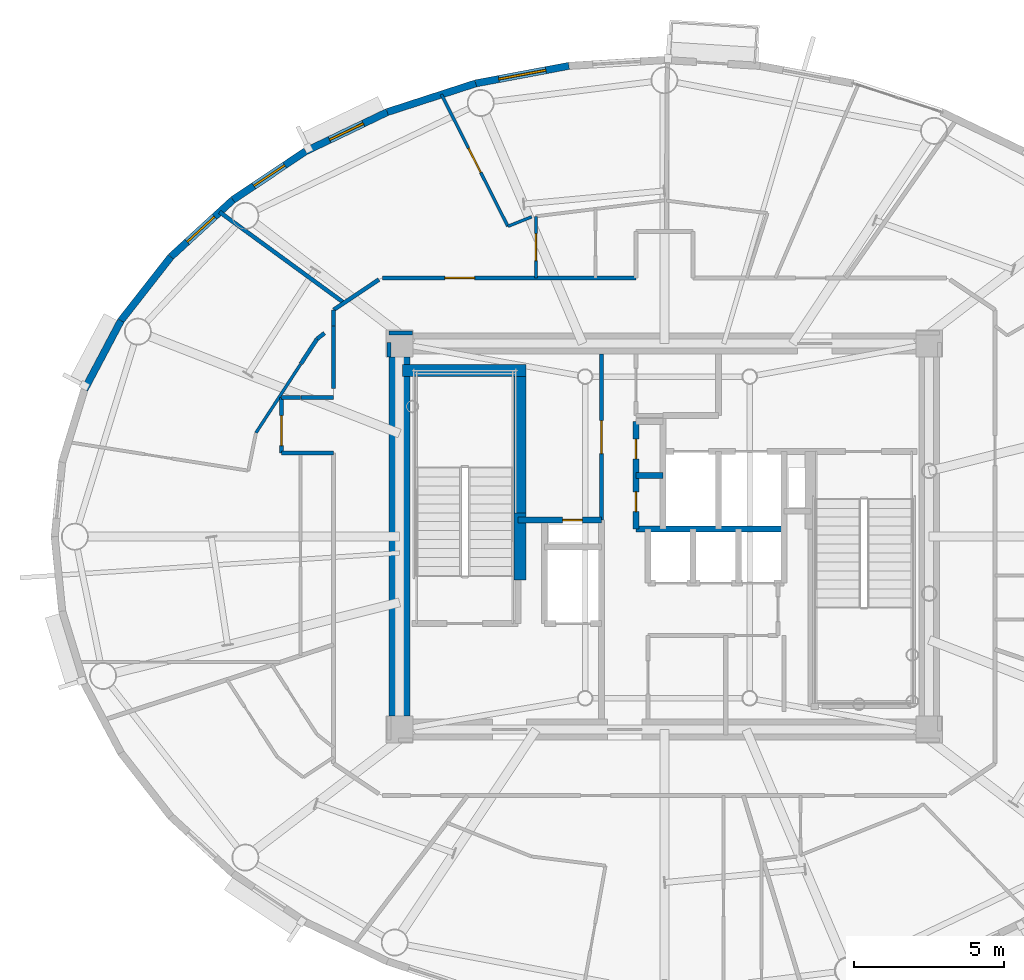
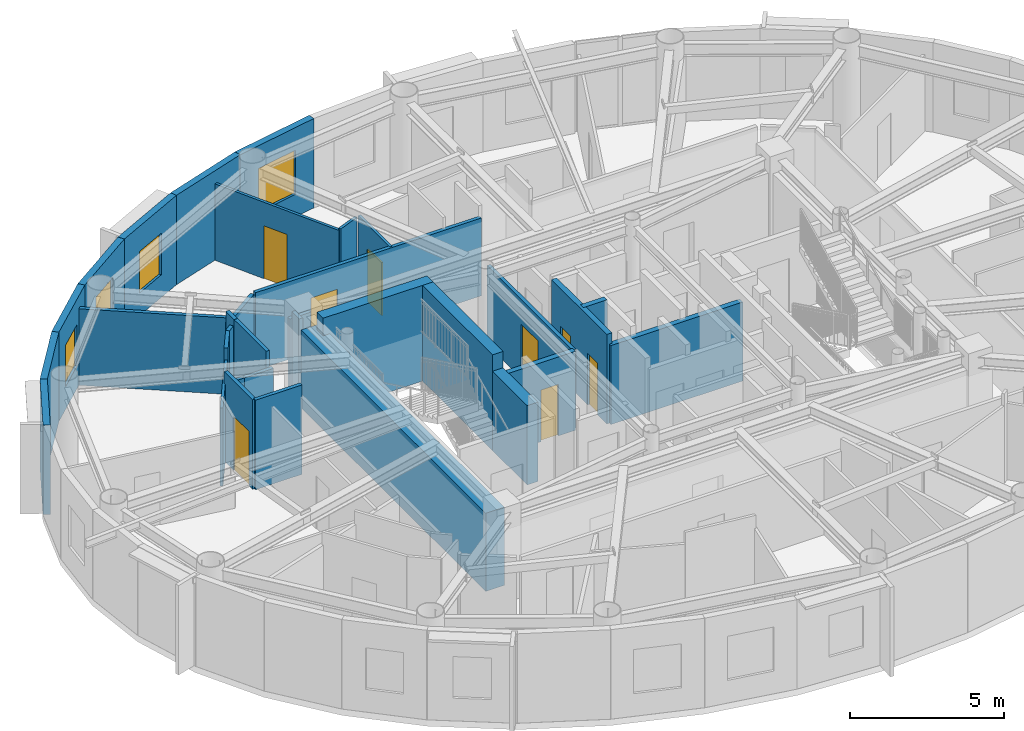
# One storey, part 8 of 17: 33 walls, 8 doors, 4 windows, 12 openings.
"""IFC4 building model written with IfcOpenShell, lengths in metres."""

from ifc_helpers import new_model, si_unit, direction, frame, frame_2d, origin, origin_2d, place, context, subcontext, project, spatial, rectangle, extrude, source, transform, mapped, material, layer, layer_set, type_object, element, fill, save


model = new_model("IFC4")

# Units and contexts
model_context = context("Model", 3, precision=1e-05, world=origin(), true_north=direction((0.0, 1.0)))
body_context = subcontext(model_context, "Body", "Model", "MODEL_VIEW")
ifc_project = project(units=[si_unit("LENGTHUNIT", "METRE"), si_unit("AREAUNIT", "SQUARE_METRE"), si_unit("VOLUMEUNIT", "CUBIC_METRE"), si_unit("PLANEANGLEUNIT", "RADIAN"), si_unit("MASSUNIT", "GRAM", prefix="KILO")], contexts=[model_context])

# Site, building, storey
site_placement = place(None, origin())
site = spatial("IfcSite", under=ifc_project, at=site_placement, CompositionType="ELEMENT")
building_placement = place(site_placement, origin())
building = spatial("IfcBuilding", under=site, at=building_placement, Name="Linh Dai School and Residence Tower", CompositionType="ELEMENT")
storey_placement = place(building_placement, frame((0.0, 0.0, 331.60009765625)))
storey = spatial("IfcBuildingStorey", under=building, at=storey_placement, Name="L82", CompositionType="ELEMENT", Elevation=331.60009765625)

# Wall, opening, window
ifc_material_1 = material(Name="Precast Concrete B45 (C35/45)", Category="concrete")
ifc_layer_1 = layer(ifc_material_1, 0.239990234375)
ifc_layer_set_1 = layer_set([ifc_layer_1], Name="Precast Concrete B45 (C35/45)")
wall_type_1 = type_object("IfcWallType", Name="EW-TC-240", PredefinedType="SOLIDWALL", material=ifc_layer_set_1)
wall_1_placement = place(storey_placement, frame((29.696044921875, 42.14794921875, 0.0), z_axis=(0.0, 0.0, 1.0), x_axis=(0.98276643264, 0.184851667226, 0.0)))
wall_1 = element("IfcWall", 1, at=wall_1_placement, inside=storey, type_object=wall_type_1, Name="L82 Terracotta Exterior Wall 12", PredefinedType="SOLIDWALL", context=body_context, shape_type="SweptSolid", body=[
    extrude(rectangle(XDim=3.167236328125, YDim=0.239990234375, at=frame_2d((1.58349609375, 0.0))), origin(), (0.0, 0.0, 1.0), 3.5498046875),
])
opening_1_placement = place(wall_1_placement, frame((0.78369140625, 0.0, 0.89990234375)))
opening_1 = element("IfcOpeningElement", 2, at=opening_1_placement, cuts=wall_1, Name="Opening W2", PredefinedType="OPENING", context=body_context, shape_type="SweptSolid", body=[
    extrude(rectangle(XDim=1.60009765625, YDim=1.75, at=origin_2d()), frame((0.800048828125, 0.1298828125, 0.875), z_axis=(0.0, -1.0, 0.0), x_axis=(1.0, 0.0, 0.0)), (0.0, 0.0, 1.0), 0.260009765625),
])
ifc_material_2 = material(Name="Double Low-E Insulated Glazing", Category="glass")
window_type_1 = type_object("IfcWindowType", Name="WN-RES-1600x1750", PartitioningType="DOUBLE_PANEL_VERTICAL", PredefinedType="WINDOW", material=ifc_material_2)
shared_shape_1 = source(origin(), body_context, "Body", "SweptSolid", [
    extrude(rectangle(XDim=1.60009765625, YDim=1.75, at=origin_2d()), frame((0.800048828125, 0.030029296875, 0.875), z_axis=(0.0, -1.0, 0.0), x_axis=(1.0, 0.0, 0.0)), (0.0, 0.0, 1.0), 0.06005859375),
])
window_1_placement = place(opening_1_placement, origin())
window_1 = element("IfcWindow", 3, at=window_1_placement, inside=storey, type_object=window_type_1, Name="L82 Exterior Window 12.1", OverallHeight=1.75, OverallWidth=1.60009765625, PartitioningType="DOUBLE_PANEL_VERTICAL", PredefinedType="WINDOW", context=body_context, shape_type="MappedRepresentation", body=[
    mapped(shared_shape_1, transform((0.0, 0.0, 0.0), x_axis=(1.0, 0.0, 0.0), y_axis=(0.0, 1.0, 0.0), z_axis=(0.0, 0.0, 1.0), scale=1.0)),
])
fill(opening_1, window_1)

# Wall
wall_2_placement = place(storey_placement, frame((26.739501953125, 41.18896484375, 0.0), z_axis=(0.0, 0.0, 1.0), x_axis=(0.951212850731, 0.308535431682, 0.0)))
element("IfcWall", 4, at=wall_2_placement, inside=storey, type_object=wall_type_1, Name="L82 Terracotta Exterior Wall 13", PredefinedType="SOLIDWALL", context=body_context, shape_type="SweptSolid", body=[
    extrude(rectangle(XDim=3.108154296875, YDim=0.239990234375, at=frame_2d((1.55419921875, 0.0))), origin(), (0.0, 0.0, 1.0), 3.5498046875),
])

# Wall, opening, window
wall_3_placement = place(storey_placement, frame((24.01220703125, 39.880126953125, 0.0), z_axis=(0.0, 0.0, 1.0), x_axis=(0.901557057889, 0.432660226241, 0.0)))
wall_3 = element("IfcWall", 5, at=wall_3_placement, inside=storey, type_object=wall_type_1, Name="L82 Terracotta Exterior Wall 14", PredefinedType="SOLIDWALL", context=body_context, shape_type="SweptSolid", body=[
    extrude(rectangle(XDim=3.025146484375, YDim=0.239990234375, at=frame_2d((1.5126953125, 0.0))), origin(), (0.0, 0.0, 1.0), 3.5498046875),
])
opening_2_placement = place(wall_3_placement, frame((0.8876953125, 0.0, 0.89990234375)))
opening_2 = element("IfcOpeningElement", 6, at=opening_2_placement, cuts=wall_3, Name="Opening W3", PredefinedType="OPENING", context=body_context, shape_type="SweptSolid", body=[
    extrude(rectangle(XDim=1.25, YDim=1.64990234375, at=origin_2d()), frame((0.625, 0.1298828125, 0.824951171875), z_axis=(0.0, -1.0, 0.0), x_axis=(1.0, 0.0, 0.0)), (0.0, 0.0, 1.0), 0.260009765625),
])
window_type_2 = type_object("IfcWindowType", Name="WN-RES-1250x1650", PartitioningType="SINGLE_PANEL", PredefinedType="WINDOW", material=ifc_material_2)
shared_shape_2 = source(origin(), body_context, "Body", "SweptSolid", [
    extrude(rectangle(XDim=1.25, YDim=1.64990234375, at=origin_2d()), frame((0.625, 0.030029296875, 0.824951171875), z_axis=(0.0, -1.0, 0.0), x_axis=(1.0, 0.0, 0.0)), (0.0, 0.0, 1.0), 0.06005859375),
])
window_2_placement = place(opening_2_placement, origin())
window_2 = element("IfcWindow", 7, at=window_2_placement, inside=storey, type_object=window_type_2, Name="L82 Exterior Window 14.1", OverallHeight=1.64990234375, OverallWidth=1.25, PartitioningType="SINGLE_PANEL", PredefinedType="WINDOW", context=body_context, shape_type="MappedRepresentation", body=[
    mapped(shared_shape_2, transform((0.0, 0.0, 0.0), x_axis=(1.0, 0.0, 0.0), y_axis=(0.0, 1.0, 0.0), z_axis=(0.0, 0.0, 1.0), scale=1.0)),
])
fill(opening_2, window_2)

wall_4_placement = place(storey_placement, frame((21.581298828125, 38.254150390625, 0.0), z_axis=(0.0, 0.0, 1.0), x_axis=(0.831201688654, 0.555970999944, 0.0)))
wall_4 = element("IfcWall", 8, at=wall_4_placement, inside=storey, type_object=wall_type_1, Name="L82 Terracotta Exterior Wall 15", PredefinedType="SOLIDWALL", context=body_context, shape_type="SweptSolid", body=[
    extrude(rectangle(XDim=2.924560546875, YDim=0.239990234375, at=frame_2d((1.46240234375, 0.0))), origin(), (0.0, 0.0, 1.0), 3.5498046875),
])
opening_3_placement = place(wall_4_placement, frame((0.83740234375, 0.0, 0.89990234375)))
opening_3 = element("IfcOpeningElement", 9, at=opening_3_placement, cuts=wall_4, Name="Opening W3", PredefinedType="OPENING", context=body_context, shape_type="SweptSolid", body=[
    extrude(rectangle(XDim=1.25, YDim=1.64990234375, at=origin_2d()), frame((0.625, 0.1298828125, 0.824951171875), z_axis=(0.0, -1.0, 0.0), x_axis=(1.0, 0.0, 0.0)), (0.0, 0.0, 1.0), 0.260009765625),
])
window_3_placement = place(opening_3_placement, origin())
window_3 = element("IfcWindow", 10, at=window_3_placement, inside=storey, type_object=window_type_2, Name="L82 Exterior Window 15.1", OverallHeight=1.64990234375, OverallWidth=1.25, PartitioningType="SINGLE_PANEL", PredefinedType="WINDOW", context=body_context, shape_type="MappedRepresentation", body=[
    mapped(shared_shape_2, transform((0.0, 0.0, 0.0), x_axis=(1.0, 0.0, 0.0), y_axis=(0.0, 1.0, 0.0), z_axis=(0.0, 0.0, 1.0), scale=1.0)),
])
fill(opening_3, window_3)

wall_5_placement = place(storey_placement, frame((19.5068359375, 36.351806640625, 0.0), z_axis=(0.0, 0.0, 1.0), x_axis=(0.737020907932, 0.675869944051, 0.0)))
wall_5 = element("IfcWall", 11, at=wall_5_placement, inside=storey, type_object=wall_type_1, Name="L82 Terracotta Exterior Wall 16", PredefinedType="SOLIDWALL", context=body_context, shape_type="SweptSolid", body=[
    extrude(rectangle(XDim=2.814697265625, YDim=0.239990234375, at=frame_2d((1.4072265625, 0.0))), origin(), (0.0, 0.0, 1.0), 3.5498046875),
])
opening_4_placement = place(wall_5_placement, frame((0.736572265625, 0.0, 0.89990234375)))
opening_4 = element("IfcOpeningElement", 12, at=opening_4_placement, cuts=wall_5, Name="Opening W3", PredefinedType="OPENING", context=body_context, shape_type="SweptSolid", body=[
    extrude(rectangle(XDim=1.25, YDim=1.64990234375, at=origin_2d()), frame((0.625, 0.1298828125, 0.824951171875), z_axis=(0.0, -1.0, 0.0), x_axis=(1.0, 0.0, 0.0)), (0.0, 0.0, 1.0), 0.260009765625),
])
window_4_placement = place(opening_4_placement, origin())
window_4 = element("IfcWindow", 13, at=window_4_placement, inside=storey, type_object=window_type_2, Name="L82 Dwelling Window U8203-BD1", OverallHeight=1.64990234375, OverallWidth=1.25, PartitioningType="SINGLE_PANEL", PredefinedType="WINDOW", context=body_context, shape_type="MappedRepresentation", body=[
    mapped(shared_shape_2, transform((0.0, 0.0, 0.0), x_axis=(1.0, 0.0, 0.0), y_axis=(0.0, 1.0, 0.0), z_axis=(0.0, 0.0, 1.0), scale=1.0)),
])
fill(opening_4, window_4)

# Walls
wall_6_placement = place(storey_placement, frame((17.839111328125, 34.220703125, 0.0), z_axis=(0.0, 0.0, 1.0), x_axis=(0.616286367698, 0.78752213492, 0.0)))
element("IfcWall", 14, at=wall_6_placement, inside=storey, type_object=wall_type_1, Name="L82 Terracotta Exterior Wall 17", PredefinedType="SOLIDWALL", context=body_context, shape_type="SweptSolid", body=[
    extrude(rectangle(XDim=2.7060546875, YDim=0.239990234375, at=frame_2d((1.35302734375, 0.0))), origin(), (0.0, 0.0, 1.0), 3.5498046875),
])
wall_7_placement = place(storey_placement, frame((16.618896484375, 31.913330078125, 0.0), z_axis=(0.0, 0.0, 1.0), x_axis=(0.467487999989, 0.883999417345, 0.0)))
element("IfcWall", 15, at=wall_7_placement, inside=storey, type_object=wall_type_1, Name="L82 Terracotta Exterior Wall 18", PredefinedType="SOLIDWALL", context=body_context, shape_type="SweptSolid", body=[
    extrude(rectangle(XDim=2.610107421875, YDim=0.239990234375, at=frame_2d((1.30517578125, 0.0))), origin(), (0.0, 0.0, 1.0), 3.5498046875),
])
ifc_material_3 = material(Name="Autoclaved Aerated Concrete Blockwork", Category="masonry")
ifc_layer_2 = layer(ifc_material_3, 0.135009765625)
ifc_layer_set_2 = layer_set([ifc_layer_2], Name="Autoclaved Aerated Concrete Blockwork")
wall_type_2 = type_object("IfcWallType", Name="IW-CORR-135-EI90", PredefinedType="PARTITIONING", material=ifc_layer_set_2)
wall_8_placement = place(storey_placement, frame((21.135009765625, 37.8515625, 0.0), z_axis=(0.0, 0.0, 1.0), x_axis=(0.807673223958, -0.589630361584, 0.0)))
element("IfcWall", 16, at=wall_8_placement, inside=storey, type_object=wall_type_2, Name="L82 Interior Partition Wall 004", PredefinedType="PARTITIONING", context=body_context, shape_type="SweptSolid", body=[
    extrude(rectangle(XDim=5.151611328125, YDim=0.135009765625, at=frame_2d((2.57568359375, 0.0))), origin(), (0.0, 0.0, 1.0), 3.034912109375),
])

# Wall, opening, door
wall_9_placement = place(storey_placement, frame((23.199951171875, 29.800048828125, 0.0), z_axis=(0.0, 0.0, 1.0), x_axis=(0.0, 1.0, 0.0)))
wall_9 = element("IfcWall", 17, at=wall_9_placement, inside=storey, type_object=wall_type_2, Name="L82 Interior Partition Wall 010", PredefinedType="PARTITIONING", context=body_context, shape_type="SweptSolid", body=[
    extrude(rectangle(XDim=1.849853515625, YDim=0.135009765625, at=frame_2d((0.9248046875, 0.0))), origin(), (0.0, 0.0, 1.0), 3.5498046875),
])
opening_5_placement = place(wall_9_placement, frame((0.241943359375, 0.0, 0.0)))
opening_5 = element("IfcOpeningElement", 18, at=opening_5_placement, cuts=wall_9, Name="Opening D03", PredefinedType="OPENING", context=body_context, shape_type="SweptSolid", body=[
    extrude(rectangle(XDim=1.0, YDim=2.14990234375, at=origin_2d()), frame((0.5, 0.07763671875, 1.074951171875), z_axis=(0.0, -1.0, 0.0), x_axis=(1.0, 0.0, 0.0)), (0.0, 0.0, 1.0), 0.155029296875),
])
ifc_material_4 = material(Name="Fire-Rated Solid Timber Entrance Door", Category="wood")
door_type_1 = type_object("IfcDoorType", Name="DR-FLAT-1000x2150-FD60S", OperationType="NOTDEFINED", PredefinedType="DOOR", material=ifc_material_4)
shared_shape_3 = source(origin(), body_context, "Body", "SweptSolid", [
    extrude(rectangle(XDim=1.0, YDim=2.14990234375, at=origin_2d()), frame((0.5, 0.02490234375, 1.074951171875), z_axis=(0.0, -1.0, 0.0), x_axis=(1.0, 0.0, 0.0)), (0.0, 0.0, 1.0), 0.050048828125),
])
door_1_placement = place(opening_5_placement, origin())
door_1 = element("IfcDoor", 19, at=door_1_placement, inside=storey, type_object=door_type_1, Name="L82 U8203 Apartment Entrance Door", OperationType="SINGLE_SWING_LEFT", OverallHeight=2.14990234375, OverallWidth=1.0, PredefinedType="DOOR", context=body_context, shape_type="MappedRepresentation", body=[
    mapped(shared_shape_3, transform((0.0, 0.0, 0.0), x_axis=(1.0, 0.0, 0.0), y_axis=(0.0, 1.0, 0.0), z_axis=(0.0, 0.0, 1.0), scale=1.0)),
])
fill(opening_5, door_1)

# Walls
wall_10_placement = place(storey_placement, frame((23.199951171875, 29.800048828125, 0.0), z_axis=(0.0, 0.0, 1.0), x_axis=(1.0, 0.0, 0.0)))
element("IfcWall", 20, at=wall_10_placement, inside=storey, type_object=wall_type_2, Name="L82 Interior Partition Wall 011", PredefinedType="PARTITIONING", context=body_context, shape_type="SweptSolid", body=[
    extrude(rectangle(XDim=1.75, YDim=0.135009765625, at=frame_2d((0.875, 0.0))), origin(), (0.0, 0.0, 1.0), 3.5498046875),
])
wall_11_placement = place(storey_placement, frame((23.199951171875, 31.64990234375, 0.0), z_axis=(0.0, 0.0, 1.0), x_axis=(1.0, 0.0, 0.0)))
element("IfcWall", 21, at=wall_11_placement, inside=storey, type_object=wall_type_2, Name="L82 Interior Partition Wall 012", PredefinedType="PARTITIONING", context=body_context, shape_type="SweptSolid", body=[
    extrude(rectangle(XDim=0.64599609375, YDim=0.135009765625, at=frame_2d((0.322998046875, 0.0))), origin(), (0.0, 0.0, 1.0), 3.0849609375),
])
wall_12_placement = place(storey_placement, frame((24.949951171875, 34.0439453125, 0.0), z_axis=(0.0, 0.0, 1.0), x_axis=(0.0, 1.0, 0.0)))
element("IfcWall", 22, at=wall_12_placement, inside=storey, type_object=wall_type_2, Name="L82 Interior Partition Wall 018", PredefinedType="PARTITIONING", context=body_context, shape_type="SweptSolid", body=[
    extrude(rectangle(XDim=0.53857421875, YDim=0.135009765625, at=frame_2d((0.269287109375, 0.0))), origin(), (0.0, 0.0, 1.0), 3.5498046875),
])
wall_13_placement = place(storey_placement, frame((24.949951171875, 34.58251953125, 0.0), z_axis=(0.0, 0.0, 1.0), x_axis=(0.831138642659, 0.556065244984, 0.0)))
element("IfcWall", 23, at=wall_13_placement, inside=storey, type_object=wall_type_2, Name="L82 Interior Partition Wall 019", PredefinedType="PARTITIONING", context=body_context, shape_type="SweptSolid", body=[
    extrude(rectangle(XDim=1.81494140625, YDim=0.135009765625, at=frame_2d((0.907470703125, 0.0))), origin(), (0.0, 0.0, 1.0), 3.0849609375),
])

# Wall, opening, door
wall_14_placement = place(storey_placement, frame((26.580078125, 35.64990234375, 0.0), z_axis=(0.0, 0.0, 1.0), x_axis=(1.0, 0.0, 0.0)))
wall_14 = element("IfcWall", 24, at=wall_14_placement, inside=storey, type_object=wall_type_2, Name="L82 Interior Partition Wall 022", PredefinedType="PARTITIONING", context=body_context, shape_type="SweptSolid", body=[
    extrude(rectangle(XDim=8.469970703125, YDim=0.135009765625, at=frame_2d((4.23486328125, 0.0))), origin(), (0.0, 0.0, 1.0), 3.0849609375),
])
opening_6_placement = place(wall_14_placement, frame((2.082275390625, 0.0, 0.0)))
opening_6 = element("IfcOpeningElement", 25, at=opening_6_placement, cuts=wall_14, Name="Opening D03", PredefinedType="OPENING", context=body_context, shape_type="SweptSolid", body=[
    extrude(rectangle(XDim=1.0, YDim=2.14990234375, at=origin_2d()), frame((0.5, 0.07763671875, 1.074951171875), z_axis=(0.0, -1.0, 0.0), x_axis=(1.0, 0.0, 0.0)), (0.0, 0.0, 1.0), 0.155029296875),
])
door_2_placement = place(opening_6_placement, origin())
door_2 = element("IfcDoor", 26, at=door_2_placement, inside=storey, type_object=door_type_1, Name="L82 U8202 Apartment Entrance Door", OperationType="SINGLE_SWING_LEFT", OverallHeight=2.14990234375, OverallWidth=1.0, PredefinedType="DOOR", context=body_context, shape_type="MappedRepresentation", body=[
    mapped(shared_shape_3, transform((0.0, 0.0, 0.0), x_axis=(1.0, 0.0, 0.0), y_axis=(0.0, 1.0, 0.0), z_axis=(0.0, 0.0, 1.0), scale=1.0)),
])
fill(opening_6, door_2)

wall_15_placement = place(storey_placement, frame((33.89990234375, 27.56005859375, 0.0), z_axis=(0.0, 0.0, 1.0), x_axis=(0.0, 1.0, 0.0)))
wall_15 = element("IfcWall", 27, at=wall_15_placement, inside=storey, type_object=wall_type_2, Name="L82 Interior Partition Wall 038", PredefinedType="PARTITIONING", context=body_context, shape_type="SweptSolid", body=[
    extrude(rectangle(XDim=5.5400390625, YDim=0.135009765625, at=frame_2d((2.77001953125, 0.0))), origin(), (0.0, 0.0, 1.0), 3.135009765625),
])
opening_7_placement = place(wall_15_placement, frame((2.219970703125, 0.0, 0.0)))
opening_7 = element("IfcOpeningElement", 28, at=opening_7_placement, cuts=wall_15, Name="Opening D07", PredefinedType="OPENING", context=body_context, shape_type="SweptSolid", body=[
    extrude(rectangle(XDim=1.10009765625, YDim=2.14990234375, at=origin_2d()), frame((0.550048828125, 0.07763671875, 1.074951171875), z_axis=(0.0, -1.0, 0.0), x_axis=(1.0, 0.0, 0.0)), (0.0, 0.0, 1.0), 0.155029296875),
])
ifc_material_5 = material(Name="Fire-Rated Louvred Steel Plant Door", Category="steel")
door_type_2 = type_object("IfcDoorType", Name="DR-PLT-1100x2150-FD60S", OperationType="NOTDEFINED", PredefinedType="DOOR", material=ifc_material_5)
shared_shape_4 = source(origin(), body_context, "Body", "SweptSolid", [
    extrude(rectangle(XDim=1.10009765625, YDim=2.14990234375, at=origin_2d()), frame((0.550048828125, 0.02490234375, 1.074951171875), z_axis=(0.0, -1.0, 0.0), x_axis=(1.0, 0.0, 0.0)), (0.0, 0.0, 1.0), 0.050048828125),
])
door_3_placement = place(opening_7_placement, origin())
door_3 = element("IfcDoor", 29, at=door_3_placement, inside=storey, type_object=door_type_2, Name="L82 High-Zone Housekeeping Suite Door", OperationType="SINGLE_SWING_LEFT", OverallHeight=2.14990234375, OverallWidth=1.10009765625, PredefinedType="DOOR", context=body_context, shape_type="MappedRepresentation", body=[
    mapped(shared_shape_4, transform((0.0, 0.0, 0.0), x_axis=(1.0, 0.0, 0.0), y_axis=(0.0, 1.0, 0.0), z_axis=(0.0, 0.0, 1.0), scale=1.0)),
])
fill(opening_7, door_3)

# Walls
wall_16_placement = place(storey_placement, frame((23.85595703125, 31.64990234375, 0.0), z_axis=(0.0, 0.0, 1.0), x_axis=(1.0, 0.0, 0.0)))
element("IfcWall", 30, at=wall_16_placement, inside=storey, type_object=wall_type_2, Name="L82 Interior Partition Wall 095", PredefinedType="PARTITIONING", context=body_context, shape_type="SweptSolid", body=[
    extrude(rectangle(XDim=1.093994140625, YDim=0.135009765625, at=frame_2d((0.546875, 0.0))), origin(), (0.0, 0.0, 1.0), 3.0849609375),
])
wall_17_placement = place(storey_placement, frame((24.949951171875, 31.95751953125, 0.0), z_axis=(0.0, 0.0, 1.0), x_axis=(0.0, 1.0, 0.0)))
element("IfcWall", 31, at=wall_17_placement, inside=storey, type_object=wall_type_2, Name="L82 Interior Partition Wall 096", PredefinedType="PARTITIONING", context=body_context, shape_type="SweptSolid", body=[
    extrude(rectangle(XDim=2.076416015625, YDim=0.135009765625, at=frame_2d((1.0380859375, 0.0))), origin(), (0.0, 0.0, 1.0), 3.5498046875),
])
wall_18_placement = place(storey_placement, frame((27.590087890625, 33.800048828125, 0.0), z_axis=(0.0, 0.0, 1.0), x_axis=(-1.0, 0.0, 0.0)))
element("IfcWall", 32, at=wall_18_placement, inside=storey, type_object=wall_type_2, Name="L82 Interior Partition Wall 098", PredefinedType="PARTITIONING", context=body_context, shape_type="SweptSolid", body=[
    extrude(rectangle(XDim=0.7900390625, YDim=0.135009765625, at=frame_2d((0.39501953125, 0.0))), origin(), (0.0, 0.0, 1.0), 3.0849609375),
])
wall_19_placement = place(storey_placement, frame((26.800048828125, 33.492431640625, 0.0), z_axis=(0.0, 0.0, 1.0), x_axis=(0.0, -1.0, 0.0)))
element("IfcWall", 33, at=wall_19_placement, inside=storey, type_object=wall_type_2, Name="L82 Interior Partition Wall 099", PredefinedType="PARTITIONING", context=body_context, shape_type="SweptSolid", body=[
    extrude(rectangle(XDim=0.482421875, YDim=0.135009765625, at=frame_2d((0.2412109375, 0.0))), origin(), (0.0, 0.0, 1.0), 3.5498046875),
])
wall_20_placement = place(storey_placement, frame((24.642578125, 33.802978515625, 0.0), z_axis=(0.0, 0.0, 1.0), x_axis=(-0.787376183758, -0.616472826043, 0.0)))
element("IfcWall", 34, at=wall_20_placement, inside=storey, type_object=wall_type_2, Name="L82 Interior Partition Wall 105", PredefinedType="PARTITIONING", context=body_context, shape_type="SweptSolid", body=[
    extrude(rectangle(XDim=0.320068359375, YDim=0.135009765625, at=frame_2d((0.16015625, 0.0))), origin(), (0.0, 0.0, 1.0), 3.5498046875),
])
wall_21_placement = place(storey_placement, frame((24.390625, 33.605712890625, 0.0), z_axis=(0.0, 0.0, 1.0), x_axis=(-0.545318185568, -0.838229131258, 0.0)))
element("IfcWall", 35, at=wall_21_placement, inside=storey, type_object=wall_type_2, Name="L82 Interior Partition Wall 106", PredefinedType="PARTITIONING", context=body_context, shape_type="SweptSolid", body=[
    extrude(rectangle(XDim=0.988525390625, YDim=0.135009765625, at=frame_2d((0.494140625, 0.0))), origin(), (0.0, 0.0, 1.0), 3.5498046875),
])

# Wall, opening, door
ifc_material_6 = material(Name="Concrete B45 (C35/45)", Category="concrete")
ifc_layer_3 = layer(ifc_material_6, 0.199951171875)
ifc_layer_set_3 = layer_set([ifc_layer_3], Name="Concrete B45 (C35/45)")
wall_type_3 = type_object("IfcWallType", Name="IW-SHAFT-200-EI120", PredefinedType="PARTITIONING", material=ifc_layer_set_3)
wall_22_placement = place(storey_placement, frame((31.10009765625, 27.550048828125, 0.0), z_axis=(0.0, 0.0, 1.0), x_axis=(1.0, 0.0, 0.0)))
wall_22 = element("IfcWall", 36, at=wall_22_placement, inside=storey, type_object=wall_type_3, Name="L82 Interior Partition Wall 028", PredefinedType="PARTITIONING", context=body_context, shape_type="SweptSolid", body=[
    extrude(rectangle(XDim=2.7998046875, YDim=0.199951171875, at=frame_2d((1.39990234375, 0.0))), origin(), (0.0, 0.0, 1.0), 3.135009765625),
])
opening_8_placement = place(wall_22_placement, frame((1.5, 0.0, 0.0)))
opening_8 = element("IfcOpeningElement", 37, at=opening_8_placement, cuts=wall_22, Name="Opening AD1", PredefinedType="OPENING", context=body_context, shape_type="SweptSolid", body=[
    extrude(rectangle(XDim=0.659912109375, YDim=2.050048828125, at=origin_2d()), frame((0.330078125, 0.10986328125, 1.02490234375), z_axis=(0.0, -1.0, 0.0), x_axis=(1.0, 0.0, 0.0)), (0.0, 0.0, 1.0), 0.219970703125),
])
ifc_material_7 = material(Name="Fire-Rated Steel Riser Access Door", Category="steel")
door_type_3 = type_object("IfcDoorType", Name="DR-ACC-660x2050-FD90S", OperationType="NOTDEFINED", PredefinedType="USERDEFINED", material=ifc_material_7)
shared_shape_5 = source(origin(), body_context, "Body", "SweptSolid", [
    extrude(rectangle(XDim=0.659912109375, YDim=2.050048828125, at=origin_2d()), frame((0.330078125, 0.02490234375, 1.02490234375), z_axis=(0.0, -1.0, 0.0), x_axis=(1.0, 0.0, 0.0)), (0.0, 0.0, 1.0), 0.050048828125),
])
door_4_placement = place(opening_8_placement, origin())
door_4 = element("IfcDoor", 38, at=door_4_placement, inside=storey, type_object=door_type_3, Name="L82 Main Electrical Riser Access Door", ObjectType="ACCESS DOOR", OperationType="SINGLE_SWING_RIGHT", OverallHeight=2.050048828125, OverallWidth=0.659912109375, PredefinedType="USERDEFINED", context=body_context, shape_type="MappedRepresentation", body=[
    mapped(shared_shape_5, transform((0.0, 0.0, 0.0), x_axis=(1.0, 0.0, 0.0), y_axis=(0.0, 1.0, 0.0), z_axis=(0.0, 0.0, 1.0), scale=1.0)),
])
fill(opening_8, door_4)

# Wall, openings, doors
wall_23_placement = place(storey_placement, frame((35.050048828125, 27.25, 0.0), z_axis=(0.0, 0.0, 1.0), x_axis=(0.0, 1.0, 0.0)))
wall_23 = element("IfcWall", 39, at=wall_23_placement, inside=storey, type_object=wall_type_3, Name="L82 Interior Partition Wall 039", PredefinedType="PARTITIONING", context=body_context, shape_type="SweptSolid", body=[
    extrude(rectangle(XDim=3.60009765625, YDim=0.199951171875, at=frame_2d((1.800048828125, 0.0))), origin(), (0.0, 0.0, 1.0), 3.5498046875),
])
opening_9_placement = place(wall_23_placement, frame((0.590087890625, 0.0, 0.0)))
opening_9 = element("IfcOpeningElement", 40, at=opening_9_placement, cuts=wall_23, Name="Opening AD1", PredefinedType="OPENING", context=body_context, shape_type="SweptSolid", body=[
    extrude(rectangle(XDim=0.659912109375, YDim=2.050048828125, at=origin_2d()), frame((0.330078125, 0.10986328125, 1.02490234375), z_axis=(0.0, -1.0, 0.0), x_axis=(1.0, 0.0, 0.0)), (0.0, 0.0, 1.0), 0.219970703125),
])
opening_10_placement = place(wall_23_placement, frame((2.35009765625, 0.0, 0.0)))
opening_10 = element("IfcOpeningElement", 41, at=opening_10_placement, cuts=wall_23, Name="Opening AD1", PredefinedType="OPENING", context=body_context, shape_type="SweptSolid", body=[
    extrude(rectangle(XDim=0.659912109375, YDim=2.050048828125, at=origin_2d()), frame((0.330078125, 0.10986328125, 1.02490234375), z_axis=(0.0, -1.0, 0.0), x_axis=(1.0, 0.0, 0.0)), (0.0, 0.0, 1.0), 0.219970703125),
])
door_5_placement = place(opening_9_placement, origin())
door_5 = element("IfcDoor", 42, at=door_5_placement, inside=storey, type_object=door_type_3, Name="L82 Telecom and Data Riser Access Door", ObjectType="ACCESS DOOR", OperationType="SINGLE_SWING_LEFT", OverallHeight=2.050048828125, OverallWidth=0.659912109375, PredefinedType="USERDEFINED", context=body_context, shape_type="MappedRepresentation", body=[
    mapped(shared_shape_5, transform((0.0, 0.0, 0.0), x_axis=(1.0, 0.0, 0.0), y_axis=(0.0, 1.0, 0.0), z_axis=(0.0, 0.0, 1.0), scale=1.0)),
])
fill(opening_9, door_5)
door_6_placement = place(opening_10_placement, origin())
door_6 = element("IfcDoor", 43, at=door_6_placement, inside=storey, type_object=door_type_3, Name="L82 Mechanical and Plumbing Riser Access Door", ObjectType="ACCESS DOOR", OperationType="SINGLE_SWING_RIGHT", OverallHeight=2.050048828125, OverallWidth=0.659912109375, PredefinedType="USERDEFINED", context=body_context, shape_type="MappedRepresentation", body=[
    mapped(shared_shape_5, transform((0.0, 0.0, 0.0), x_axis=(1.0, 0.0, 0.0), y_axis=(0.0, 1.0, 0.0), z_axis=(0.0, 0.0, 1.0), scale=1.0)),
])
fill(opening_10, door_6)

# Walls
wall_24_placement = place(storey_placement, frame((35.050048828125, 27.25, 0.0), z_axis=(0.0, 0.0, 1.0), x_axis=(1.0, 0.0, 0.0)))
element("IfcWall", 44, at=wall_24_placement, inside=storey, type_object=wall_type_3, Name="L82 Interior Partition Wall 040", PredefinedType="PARTITIONING", context=body_context, shape_type="SweptSolid", body=[
    extrude(rectangle(XDim=4.949951171875, YDim=0.199951171875, at=frame_2d((2.47509765625, 0.0))), origin(), (0.0, 0.0, 1.0), 3.135009765625),
])
wall_25_placement = place(storey_placement, frame((35.050048828125, 29.050048828125, 0.0), z_axis=(0.0, 0.0, 1.0), x_axis=(1.0, 0.0, 0.0)))
element("IfcWall", 45, at=wall_25_placement, inside=storey, type_object=wall_type_3, Name="L82 Interior Partition Wall 041", PredefinedType="PARTITIONING", context=body_context, shape_type="SweptSolid", body=[
    extrude(rectangle(XDim=0.89990234375, YDim=0.199951171875, at=frame_2d((0.449951171875, 0.0))), origin(), (0.0, 0.0, 1.0), 3.5498046875),
])
ifc_material_8 = material(Name="Gypsum Plasterboard Acoustic Stud Partition", Category="masonry")
ifc_layer_4 = layer(ifc_material_8, 0.10009765625)
ifc_layer_set_4 = layer_set([ifc_layer_4], Name="Gypsum Plasterboard Acoustic Stud Partition")
wall_type_4 = type_object("IfcWallType", Name="IW-UNIT-100", PredefinedType="PARTITIONING", material=ifc_layer_set_4)
wall_26_placement = place(storey_placement, frame((22.352294921875, 30.472900390625, 0.0), z_axis=(0.0, 0.0, 1.0), x_axis=(0.545326673802, 0.838223609093, 0.0)))
element("IfcWall", 46, at=wall_26_placement, inside=storey, type_object=wall_type_4, Name="L82 Interior Partition Wall 007", PredefinedType="PARTITIONING", context=body_context, shape_type="SweptSolid", body=[
    extrude(rectangle(XDim=2.739013671875, YDim=0.10009765625, at=frame_2d((1.36962890625, 0.0))), origin(), (0.0, 0.0, 1.0), 3.0849609375),
])

# Wall, opening, door
wall_27_placement = place(storey_placement, frame((28.547607421875, 41.78076171875, 0.0), z_axis=(0.0, 0.0, 1.0), x_axis=(0.450197256642, -0.892929129389, 0.0)))
wall_27 = element("IfcWall", 47, at=wall_27_placement, inside=storey, type_object=wall_type_4, Name="L82 Interior Partition Wall 024", PredefinedType="PARTITIONING", context=body_context, shape_type="SweptSolid", body=[
    extrude(rectangle(XDim=4.938232421875, YDim=0.10009765625, at=frame_2d((2.46923828125, 0.0))), origin(), (0.0, 0.0, 1.0), 3.034912109375),
])
opening_11_placement = place(wall_27_placement, frame((2.01904296875, 0.0, 0.0)))
opening_11 = element("IfcOpeningElement", 48, at=opening_11_placement, cuts=wall_27, Name="Opening D05", PredefinedType="OPENING", context=body_context, shape_type="SweptSolid", body=[
    extrude(rectangle(XDim=0.89990234375, YDim=2.10009765625, at=origin_2d()), frame((0.449951171875, 0.06005859375, 1.050048828125), z_axis=(0.0, -1.0, 0.0), x_axis=(1.0, 0.0, 0.0)), (0.0, 0.0, 1.0), 0.1201171875),
])
ifc_material_9 = material(Name="Engineered Timber Internal Door", Category="wood")
door_type_4 = type_object("IfcDoorType", Name="DR-INT-900x2100", OperationType="NOTDEFINED", PredefinedType="DOOR", material=ifc_material_9)
shared_shape_6 = source(origin(), body_context, "Body", "SweptSolid", [
    extrude(rectangle(XDim=0.89990234375, YDim=2.10009765625, at=origin_2d()), frame((0.449951171875, 0.02490234375, 1.050048828125), z_axis=(0.0, -1.0, 0.0), x_axis=(1.0, 0.0, 0.0)), (0.0, 0.0, 1.0), 0.050048828125),
])
door_7_placement = place(opening_11_placement, origin())
door_7 = element("IfcDoor", 49, at=door_7_placement, inside=storey, type_object=door_type_4, Name="L82 Apartment U8202 Bedroom 1 Door", OperationType="SINGLE_SWING_RIGHT", OverallHeight=2.10009765625, OverallWidth=0.89990234375, PredefinedType="DOOR", context=body_context, shape_type="MappedRepresentation", body=[
    mapped(shared_shape_6, transform((0.0, 0.0, 0.0), x_axis=(1.0, 0.0, 0.0), y_axis=(0.0, 1.0, 0.0), z_axis=(0.0, 0.0, 1.0), scale=1.0)),
])
fill(opening_11, door_7)

# Wall
wall_28_placement = place(storey_placement, frame((30.770751953125, 37.371337890625, 0.0), z_axis=(0.0, 0.0, 1.0), x_axis=(0.928810758689, 0.370554415091, 0.0)))
element("IfcWall", 50, at=wall_28_placement, inside=storey, type_object=wall_type_4, Name="L82 Interior Partition Wall 026", PredefinedType="PARTITIONING", context=body_context, shape_type="SweptSolid", body=[
    extrude(rectangle(XDim=0.85595703125, YDim=0.10009765625, at=frame_2d((0.427978515625, 0.0))), origin(), (0.0, 0.0, 1.0), 3.0849609375),
])

# Wall, opening, door
wall_29_placement = place(storey_placement, frame((31.704345703125, 35.64990234375, 0.0), z_axis=(0.0, 0.0, 1.0), x_axis=(0.0, 1.0, 0.0)))
wall_29 = element("IfcWall", 51, at=wall_29_placement, inside=storey, type_object=wall_type_4, Name="L82 Interior Partition Wall 030", PredefinedType="PARTITIONING", context=body_context, shape_type="SweptSolid", body=[
    extrude(rectangle(XDim=2.0556640625, YDim=0.10009765625, at=frame_2d((1.02783203125, 0.0))), origin(), (0.0, 0.0, 1.0), 3.0849609375),
])
opening_12_placement = place(wall_29_placement, frame((0.577880859375, 0.0, 0.0)))
opening_12 = element("IfcOpeningElement", 52, at=opening_12_placement, cuts=wall_29, Name="Opening D05", PredefinedType="OPENING", context=body_context, shape_type="SweptSolid", body=[
    extrude(rectangle(XDim=0.89990234375, YDim=2.10009765625, at=origin_2d()), frame((0.449951171875, 0.06005859375, 1.050048828125), z_axis=(0.0, -1.0, 0.0), x_axis=(1.0, 0.0, 0.0)), (0.0, 0.0, 1.0), 0.1201171875),
])
door_8_placement = place(opening_12_placement, origin())
door_8 = element("IfcDoor", 53, at=door_8_placement, inside=storey, type_object=door_type_4, Name="L82 Apartment U8202 Kitchen Door", OperationType="SINGLE_SWING_LEFT", OverallHeight=2.10009765625, OverallWidth=0.89990234375, PredefinedType="DOOR", context=body_context, shape_type="MappedRepresentation", body=[
    mapped(shared_shape_6, transform((0.0, 0.0, 0.0), x_axis=(1.0, 0.0, 0.0), y_axis=(0.0, 1.0, 0.0), z_axis=(0.0, 0.0, 1.0), scale=1.0)),
])
fill(opening_12, door_8)

# Walls
ifc_layer_5 = layer(ifc_material_6, 0.39990234375)
ifc_layer_set_5 = layer_set([ifc_layer_5], Name="Concrete B45 (C35/45)")
wall_type_5 = type_object("IfcWallType", Name="WL-CORE400", PredefinedType="SHEAR", material=ifc_layer_set_5)
wall_30_placement = place(storey_placement, frame((31.179931640625, 27.800048828125, 0.0), z_axis=(0.0, 0.0, 1.0), x_axis=(0.0, 1.0, 0.0)))
element("IfcWall", 54, at=wall_30_placement, inside=storey, type_object=wall_type_5, Name="L82 Core Stair ST1 Bearing Wall E", PredefinedType="SHEAR", context=body_context, shape_type="SweptSolid", body=[
    extrude(rectangle(XDim=4.75, YDim=0.39990234375, at=frame_2d((2.375, 0.0))), origin(), (0.0, 0.0, 1.0), 3.7998046875),
])
wall_31_placement = place(storey_placement, frame((27.25, 32.550048828125, 0.0), z_axis=(0.0, 0.0, 1.0), x_axis=(1.0, 0.0, 0.0)))
element("IfcWall", 55, at=wall_31_placement, inside=storey, type_object=wall_type_5, Name="L82 Core Stair ST1 Bearing Wall N", PredefinedType="SHEAR", context=body_context, shape_type="SweptSolid", body=[
    extrude(rectangle(XDim=4.1298828125, YDim=0.39990234375, at=frame_2d((2.06494140625, 0.0))), origin(), (0.0, 0.0, 1.0), 3.7998046875),
])
wall_32_placement = place(storey_placement, frame((31.179931640625, 25.550048828125, 0.0), z_axis=(0.0, 0.0, 1.0), x_axis=(0.0, 1.0, 0.0)))
element("IfcWall", 56, at=wall_32_placement, inside=storey, type_object=wall_type_5, Name="L82 Internal Core Shear Wall IW", PredefinedType="SHEAR", context=body_context, shape_type="SweptSolid", body=[
    extrude(rectangle(XDim=2.25, YDim=0.39990234375, at=frame_2d((1.125, 0.0))), origin(), (0.0, 0.0, 1.0), 3.14990234375),
])
ifc_layer_6 = layer(ifc_material_6, 0.699951171875)
ifc_layer_set_6 = layer_set([ifc_layer_6], Name="Concrete B45 (C35/45)")
wall_type_6 = type_object("IfcWallType", Name="WL-CORE700", PredefinedType="SHEAR", material=ifc_layer_set_6)
wall_33_placement = place(storey_placement, frame((27.14990234375, 21.0, 0.0), z_axis=(0.0, 0.0, 1.0), x_axis=(0.0, 1.0, 0.0)))
element("IfcWall", 57, at=wall_33_placement, inside=storey, type_object=wall_type_6, Name="L82 Central Core Shear Wall W", PredefinedType="SHEAR", context=body_context, shape_type="SweptSolid", body=[
    extrude(rectangle(XDim=12.0, YDim=0.699951171875, at=frame_2d((6.0, 0.0))), origin(), (0.0, 0.0, 1.0), 3.099853515625),
])

save(model, "model.ifc")
